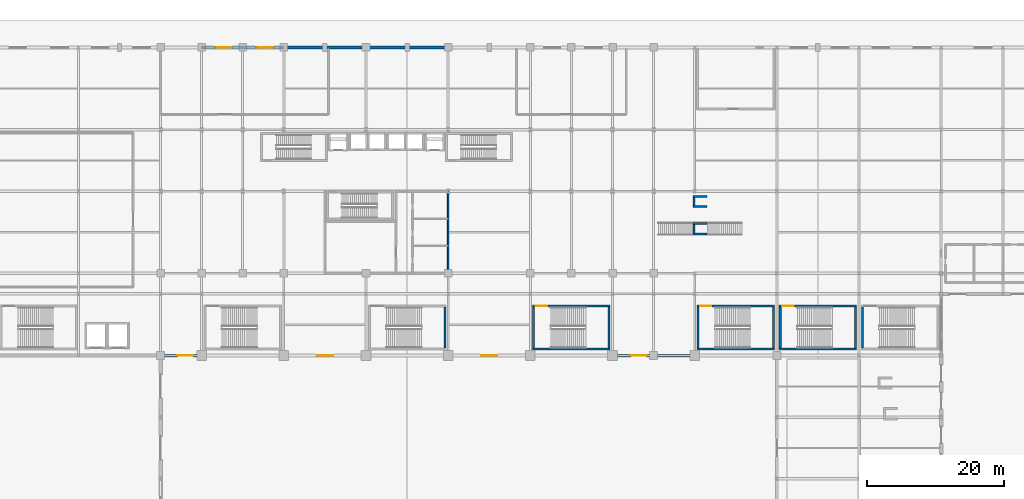
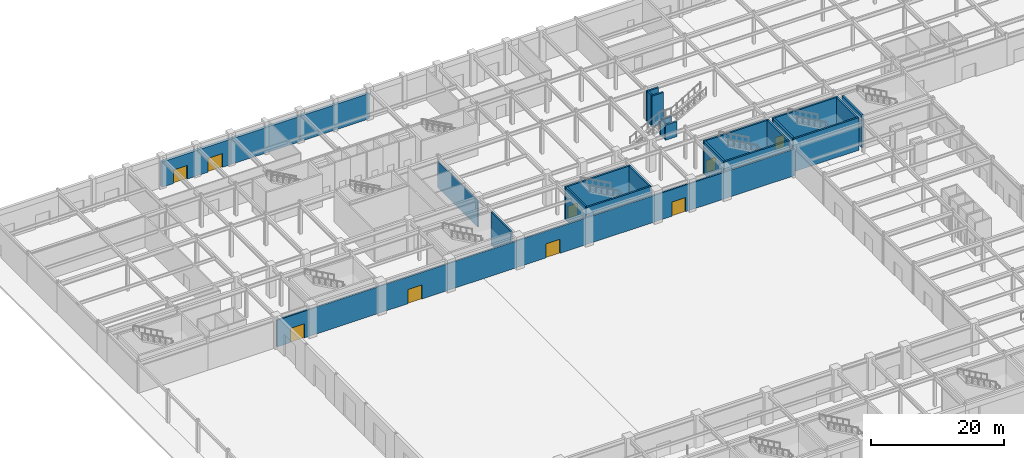
# One storey, part 26 of 44: 25 walls, 9 doors, 9 openings.
"""IFC4 building model written with IfcOpenShell, lengths in metres."""

from ifc_helpers import new_model, si_unit, direction, frame, frame_2d, origin, place, context, subcontext, project, spatial, rectangle, extrude, material, layer, layer_set, type_object, element, fill, save


model = new_model("IFC4")

# Units and contexts
model_context = context("Model", 3, precision=1e-05, world=origin(), true_north=direction((0.0, 1.0)))
body_context = subcontext(model_context, "Body", "Model", "MODEL_VIEW")
ifc_project = project(units=[si_unit("LENGTHUNIT", "METRE"), si_unit("AREAUNIT", "SQUARE_METRE"), si_unit("VOLUMEUNIT", "CUBIC_METRE"), si_unit("PLANEANGLEUNIT", "RADIAN"), si_unit("MASSUNIT", "GRAM", prefix="KILO")], contexts=[model_context])

# Site, building, storey
site_placement = place(None, origin())
site = spatial("IfcSite", under=ifc_project, at=site_placement, CompositionType="ELEMENT")
building_placement = place(site_placement, origin())
building = spatial("IfcBuilding", under=site, at=building_placement, Name="Kaldorvane Square Convention Centre", CompositionType="ELEMENT")
storey_placement = place(building_placement, origin())
storey = spatial("IfcBuildingStorey", under=building, at=storey_placement, Name="L00", CompositionType="ELEMENT", Elevation=0.0)

# Wall, openings, doors
ifc_material_1 = material(Name="Reinforced Concrete Masonry Acoustic Partition", Category="masonry")
ifc_layer_1 = layer(ifc_material_1, 0.279998779296875)
ifc_layer_set_1 = layer_set([ifc_layer_1], Name="Reinforced Concrete Masonry Acoustic Partition")
wall_type_1 = type_object("IfcWallType", Name="WL-ACO-280", PredefinedType="PARTITIONING", material=ifc_layer_set_1)
wall_1_placement = place(storey_placement, frame((114.0, 72.0, 0.0), z_axis=(0.0, 0.0, 1.0), x_axis=(-1.0, 0.0, 0.0)))
wall_1 = element("IfcWall", 1, at=wall_1_placement, inside=storey, type_object=wall_type_1, Name="Exhibition Hall N Enclosure Wall (L00)", PredefinedType="PARTITIONING", context=body_context, shape_type="SweptSolid", body=[
    extrude(rectangle(XDim=90.0, YDim=0.279998779296875, at=frame_2d((45.0, 0.0))), origin(), (0.0, 0.0, 1.0), 4.9019927978515625),
])
opening_1_placement = place(wall_1_placement, frame((18.970001220703125, 0.0, 0.0)))
opening_1 = element("IfcOpeningElement", 2, at=opening_1_placement, cuts=wall_1, Name="Opening ID-01", PredefinedType="OPENING", context=body_context, shape_type="SweptSolid", body=[
    extrude(rectangle(XDim=2.399993896484375, YDim=2.600006103515625, at=frame_2d((1.1999969482421875, 1.3000030517578125))), frame((0.0, 0.154998779296875, 0.0), z_axis=(0.0, -1.0, 0.0), x_axis=(1.0, 0.0, 0.0)), (0.0, 0.0, 1.0), 0.30999755859375),
])
opening_2_placement = place(wall_1_placement, frame((40.80000305175781, 0.0, 0.0)))
opening_2 = element("IfcOpeningElement", 3, at=opening_2_placement, cuts=wall_1, Name="Opening ID-01", PredefinedType="OPENING", context=body_context, shape_type="SweptSolid", body=[
    extrude(rectangle(XDim=2.399993896484375, YDim=2.600006103515625, at=frame_2d((1.1999969482421875, 1.3000030517578125))), frame((0.0, 0.154998779296875, 0.0), z_axis=(0.0, -1.0, 0.0), x_axis=(1.0, 0.0, 0.0)), (0.0, 0.0, 1.0), 0.30999755859375),
])
opening_3_placement = place(wall_1_placement, frame((64.80000305175781, 0.0, 0.0)))
opening_3 = element("IfcOpeningElement", 4, at=opening_3_placement, cuts=wall_1, Name="Opening ID-01", PredefinedType="OPENING", context=body_context, shape_type="SweptSolid", body=[
    extrude(rectangle(XDim=2.399993896484375, YDim=2.600006103515625, at=frame_2d((1.1999969482421875, 1.3000030517578125))), frame((0.0, 0.154998779296875, 0.0), z_axis=(0.0, -1.0, 0.0), x_axis=(1.0, 0.0, 0.0)), (0.0, 0.0, 1.0), 0.30999755859375),
])
opening_4_placement = place(wall_1_placement, frame((85.19999694824219, 0.0, 0.0)))
opening_4 = element("IfcOpeningElement", 5, at=opening_4_placement, cuts=wall_1, Name="Opening ID-01", PredefinedType="OPENING", context=body_context, shape_type="SweptSolid", body=[
    extrude(rectangle(XDim=2.399993896484375, YDim=2.600006103515625, at=frame_2d((1.1999969482421875, 1.3000030517578125))), frame((0.0, 0.154998779296875, 0.0), z_axis=(0.0, -1.0, 0.0), x_axis=(1.0, 0.0, 0.0)), (0.0, 0.0, 1.0), 0.30999755859375),
])
ifc_material_2 = material(Name="Insulated Hollow Metal Steel", Category="steel")
door_type_1 = type_object("IfcDoorType", Name="DR-HALL-2400X2600", OperationType="DOUBLE_DOOR_SINGLE_SWING", PredefinedType="DOOR", material=ifc_material_2)
door_1_placement = place(opening_1_placement, origin())
door_1 = element("IfcDoor", 6, at=door_1_placement, inside=storey, type_object=door_type_1, Name="Exhibition Hall N Portal Door 1", OperationType="DOUBLE_DOOR_SINGLE_SWING", OverallHeight=2.600006103515625, OverallWidth=2.399993896484375, PredefinedType="DOOR", context=body_context, shape_type="SweptSolid", body=[
    extrude(rectangle(XDim=2.399993896484375, YDim=2.600006103515625, at=frame_2d((1.1999969482421875, 1.3000030517578125))), frame((0.0, 0.024993896484375, 0.0), z_axis=(0.0, -1.0, 0.0), x_axis=(1.0, 0.0, 0.0)), (0.0, 0.0, 1.0), 0.0500030517578125),
])
fill(opening_1, door_1)
door_2_placement = place(opening_2_placement, origin())
door_2 = element("IfcDoor", 7, at=door_2_placement, inside=storey, type_object=door_type_1, Name="Exhibition Hall N Portal Door 2", OperationType="DOUBLE_DOOR_SINGLE_SWING", OverallHeight=2.600006103515625, OverallWidth=2.399993896484375, PredefinedType="DOOR", context=body_context, shape_type="SweptSolid", body=[
    extrude(rectangle(XDim=2.399993896484375, YDim=2.600006103515625, at=frame_2d((1.1999969482421875, 1.3000030517578125))), frame((0.0, 0.024993896484375, 0.0), z_axis=(0.0, -1.0, 0.0), x_axis=(1.0, 0.0, 0.0)), (0.0, 0.0, 1.0), 0.0500030517578125),
])
fill(opening_2, door_2)
door_3_placement = place(opening_3_placement, origin())
door_3 = element("IfcDoor", 8, at=door_3_placement, inside=storey, type_object=door_type_1, Name="Exhibition Hall N Portal Door 3", OperationType="DOUBLE_DOOR_SINGLE_SWING", OverallHeight=2.600006103515625, OverallWidth=2.399993896484375, PredefinedType="DOOR", context=body_context, shape_type="SweptSolid", body=[
    extrude(rectangle(XDim=2.399993896484375, YDim=2.600006103515625, at=frame_2d((1.1999969482421875, 1.3000030517578125))), frame((0.0, 0.024993896484375, 0.0), z_axis=(0.0, -1.0, 0.0), x_axis=(1.0, 0.0, 0.0)), (0.0, 0.0, 1.0), 0.0500030517578125),
])
fill(opening_3, door_3)
door_4_placement = place(opening_4_placement, origin())
door_4 = element("IfcDoor", 9, at=door_4_placement, inside=storey, type_object=door_type_1, Name="Exhibition Hall N Portal Door 4", OperationType="DOUBLE_DOOR_SINGLE_SWING", OverallHeight=2.600006103515625, OverallWidth=2.399993896484375, PredefinedType="DOOR", context=body_context, shape_type="SweptSolid", body=[
    extrude(rectangle(XDim=2.399993896484375, YDim=2.600006103515625, at=frame_2d((1.1999969482421875, 1.3000030517578125))), frame((0.0, 0.024993896484375, 0.0), z_axis=(0.0, -1.0, 0.0), x_axis=(1.0, 0.0, 0.0)), (0.0, 0.0, 1.0), 0.0500030517578125),
])
fill(opening_4, door_4)

# Wall
ifc_material_3 = material(Name="Fire-Rated Gypsum Board on Acoustic Steel Studs", Category="steel")
ifc_layer_2 = layer(ifc_material_3, 0.1999969482421875)
ifc_layer_set_2 = layer_set([ifc_layer_2], Name="Fire-Rated Gypsum Board on Acoustic Steel Studs")
wall_type_2 = type_object("IfcWallType", Name="WL-CORR-200", PredefinedType="PARTITIONING", material=ifc_layer_set_2)
wall_2_placement = place(storey_placement, frame((66.0, 84.0, 0.0), z_axis=(0.0, 0.0, 1.0), x_axis=(0.0, 1.0, 0.0)))
element("IfcWall", 10, at=wall_2_placement, inside=storey, type_object=wall_type_2, Name="Restroom East Wall (L00)", PredefinedType="PARTITIONING", context=body_context, shape_type="SweptSolid", body=[
    extrude(rectangle(XDim=12.0, YDim=0.1999969482421875, at=frame_2d((6.0, 0.0))), origin(), (0.0, 0.0, 1.0), 4.8300018310546875),
])

# Wall, openings, doors
ifc_material_4 = material(Name="Concrete f'c = 42 MPa (Normalweight)", Category="concrete")
ifc_layer_3 = layer(ifc_material_4, 0.4499969482421875)
ifc_layer_set_3 = layer_set([ifc_layer_3], Name="Concrete f'c = 42 MPa (Normalweight)")
wall_type_3 = type_object("IfcWallType", Name="WL-EXT-450", PredefinedType="STANDARD", material=ifc_layer_set_3)
wall_3_placement = place(storey_placement, frame((42.0, 117.0, 0.0), z_axis=(0.0, 0.0, 1.0), x_axis=(-1.0, 0.0, 0.0)))
wall_3 = element("IfcWall", 11, at=wall_3_placement, inside=storey, type_object=wall_type_3, Name="North Square Brutalist Facade Wall (L00)", PredefinedType="STANDARD", context=body_context, shape_type="SweptSolid", body=[
    extrude(rectangle(XDim=12.0, YDim=0.4499969482421875, at=frame_2d((6.0, 0.0))), origin(), (0.0, 0.0, 1.0), 4.675994873046875),
])
opening_5_placement = place(wall_3_placement, frame((1.5, 0.0, 0.0)))
opening_5 = element("IfcOpeningElement", 12, at=opening_5_placement, cuts=wall_3, Name="Opening ED-01", PredefinedType="OPENING", context=body_context, shape_type="SweptSolid", body=[
    extrude(rectangle(XDim=2.5, YDim=2.5500030517578125, at=frame_2d((1.25, 1.274993896484375))), frame((0.0, 0.239990234375, 0.0), z_axis=(0.0, -1.0, 0.0), x_axis=(1.0, 0.0, 0.0)), (0.0, 0.0, 1.0), 0.4799957275390625),
])
opening_6_placement = place(wall_3_placement, frame((7.600006103515625, 0.0, 0.0)))
opening_6 = element("IfcOpeningElement", 13, at=opening_6_placement, cuts=wall_3, Name="Opening ED-02", PredefinedType="OPENING", context=body_context, shape_type="SweptSolid", body=[
    extrude(rectangle(XDim=2.399993896484375, YDim=2.5, at=frame_2d((1.1999969482421875, 1.25))), frame((0.0, 0.239990234375, 0.0), z_axis=(0.0, -1.0, 0.0), x_axis=(1.0, 0.0, 0.0)), (0.0, 0.0, 1.0), 0.4799957275390625),
])
ifc_material_5 = material(Name="Thermally Broken Aluminum and Tempered Glass", Category="aluminium")
door_type_2 = type_object("IfcDoorType", Name="DR-EXT-2400X2500", OperationType="DOUBLE_DOOR_SINGLE_SWING", PredefinedType="DOOR", material=ifc_material_5)
door_5_placement = place(opening_6_placement, origin())
door_5 = element("IfcDoor", 14, at=door_5_placement, inside=storey, type_object=door_type_2, Name="North Kaldorvane Square Entrance Exit Door 11", OperationType="DOUBLE_DOOR_SINGLE_SWING", OverallHeight=2.5, OverallWidth=2.399993896484375, PredefinedType="DOOR", context=body_context, shape_type="SweptSolid", body=[
    extrude(rectangle(XDim=2.399993896484375, YDim=2.5, at=frame_2d((1.1999969482421875, 1.25))), frame((0.0, 0.024993896484375, 0.0), z_axis=(0.0, -1.0, 0.0), x_axis=(1.0, 0.0, 0.0)), (0.0, 0.0, 1.0), 0.0500030517578125),
])
fill(opening_6, door_5)
door_type_3 = type_object("IfcDoorType", Name="DR-EXT-2500X2550", OperationType="DOUBLE_DOOR_SINGLE_SWING", PredefinedType="DOOR", material=ifc_material_5)
door_6_placement = place(opening_5_placement, origin())
door_6 = element("IfcDoor", 15, at=door_6_placement, inside=storey, type_object=door_type_3, Name="North Kaldorvane Square Entrance Exit Door 10", OperationType="DOUBLE_DOOR_SINGLE_SWING", OverallHeight=2.5500030517578125, OverallWidth=2.5, PredefinedType="DOOR", context=body_context, shape_type="SweptSolid", body=[
    extrude(rectangle(XDim=2.5, YDim=2.5500030517578125, at=frame_2d((1.25, 1.274993896484375))), frame((0.0, 0.024993896484375, 0.0), z_axis=(0.0, -1.0, 0.0), x_axis=(1.0, 0.0, 0.0)), (0.0, 0.0, 1.0), 0.0500030517578125),
])
fill(opening_5, door_6)

# Walls
for number, where, z_axis, x_axis, name in (
    (16, (54.0, 117.0, 0.0), (0.0, 0.0, 1.0), (-1.0, 0.0, 0.0), "North Square Brutalist Facade Wall (L00)"),
    (17, (66.0, 117.0, 0.0), (0.0, 0.0, 1.0), (-1.0, 0.0, 0.0), "North Square Brutalist Facade Wall (L00)"),
):
    element("IfcWall", number, at=place(storey_placement, frame(where, z_axis=z_axis, x_axis=x_axis)), inside=storey, type_object=wall_type_3, Name=name, PredefinedType="STANDARD", context=body_context, shape_type="SweptSolid", body=[
        extrude(rectangle(XDim=12.0, YDim=0.4499969482421875, at=frame_2d((6.0, 0.0))), origin(), (0.0, 0.0, 1.0), 4.675994873046875),
    ])
ifc_material_6 = material(Name="Concrete f'c = 55 MPa (Normalweight)", Category="concrete")
ifc_layer_4 = layer(ifc_material_6, 0.3000030517578125)
ifc_layer_set_4 = layer_set([ifc_layer_4], Name="Concrete f'c = 55 MPa (Normalweight)")
wall_type_4 = type_object("IfcWallType", Name="WL-SHAFT-300", PredefinedType="SHEAR", material=ifc_layer_set_4)
wall_4_placement = place(storey_placement, frame((65.50999450683594, 73.10000610351562, 0.0), z_axis=(0.0, 0.0, 1.0), x_axis=(0.0, 1.0, 0.0)))
element("IfcWall", 18, at=wall_4_placement, inside=storey, type_object=wall_type_4, Name="Core Enclosure Wall stair:ST-C14-E (L00)", PredefinedType="SHEAR", context=body_context, shape_type="SweptSolid", body=[
    extrude(rectangle(XDim=5.959991455078125, YDim=0.3000030517578125, at=frame_2d((2.9799957275390625, 0.0))), origin(), (0.0, 0.0, 1.0), 6.0),
])
wall_5_placement = place(storey_placement, frame((78.33999633789062, 72.94999694824219, 0.0), z_axis=(0.0, 0.0, 1.0), x_axis=(1.0, 0.0, 0.0)))
element("IfcWall", 19, at=wall_5_placement, inside=storey, type_object=wall_type_4, Name="Core Enclosure Wall stair:ST-C15-S (L00)", PredefinedType="SHEAR", context=body_context, shape_type="SweptSolid", body=[
    extrude(rectangle(XDim=11.32000732421875, YDim=0.3000030517578125, at=frame_2d((5.660003662109375, 0.0))), origin(), (0.0, 0.0, 1.0), 6.0),
])

# Wall, opening, door
wall_6_placement = place(storey_placement, frame((89.66000366210938, 79.21000671386719, 0.0), z_axis=(0.0, 0.0, 1.0), x_axis=(-1.0, 0.0, 0.0)))
wall_6 = element("IfcWall", 20, at=wall_6_placement, inside=storey, type_object=wall_type_4, Name="Core Enclosure Wall stair:ST-C15-N (L00)", PredefinedType="SHEAR", context=body_context, shape_type="SweptSolid", body=[
    extrude(rectangle(XDim=11.32000732421875, YDim=0.3000030517578125, at=frame_2d((5.660003662109375, 0.0))), origin(), (0.0, 0.0, 1.0), 6.0),
])
opening_7_placement = place(wall_6_placement, frame((9.220001220703125, 0.0, 0.0)))
opening_7 = element("IfcOpeningElement", 21, at=opening_7_placement, cuts=wall_6, Name="Opening FD90-S2", PredefinedType="OPENING", context=body_context, shape_type="SweptSolid", body=[
    extrude(rectangle(XDim=1.649993896484375, YDim=2.25, at=frame_2d((0.8249969482421875, 1.125))), frame((0.0, 0.165008544921875, 0.0), z_axis=(0.0, -1.0, 0.0), x_axis=(1.0, 0.0, 0.0)), (0.0, 0.0, 1.0), 0.3300018310546875),
])
ifc_material_7 = material(Name="Fire-Rated Hollow Metal Steel", Category="steel")
door_type_4 = type_object("IfcDoorType", Name="DR-STAIR-1650", OperationType="DOUBLE_DOOR_SINGLE_SWING", PredefinedType="DOOR", material=ifc_material_7)
door_7_placement = place(opening_7_placement, origin())
door_7 = element("IfcDoor", 22, at=door_7_placement, inside=storey, type_object=door_type_4, Name="Convention Exit Stair C15 Fire Door (L00)", OperationType="DOUBLE_DOOR_SINGLE_SWING", OverallHeight=2.25, OverallWidth=1.649993896484375, PredefinedType="DOOR", context=body_context, shape_type="SweptSolid", body=[
    extrude(rectangle(XDim=1.649993896484375, YDim=2.25, at=frame_2d((0.8249969482421875, 1.125))), frame((0.0, 0.024993896484375, 0.0), z_axis=(0.0, -1.0, 0.0), x_axis=(1.0, 0.0, 0.0)), (0.0, 0.0, 1.0), 0.0500030517578125),
])
fill(opening_7, door_7)

# Walls
for number, where, z_axis, x_axis, name in (
    (23, (78.49000549316406, 79.05999755859375, 0.0), (0.0, 0.0, 1.0), (0.0, -1.0, 0.0), "Core Enclosure Wall stair:ST-C15-W (L00)"),
    (24, (89.50999450683594, 73.10000610351562, 0.0), (0.0, 0.0, 1.0), (0.0, 1.0, 0.0), "Core Enclosure Wall stair:ST-C15-E (L00)"),
):
    element("IfcWall", number, at=place(storey_placement, frame(where, z_axis=z_axis, x_axis=x_axis)), inside=storey, type_object=wall_type_4, Name=name, PredefinedType="SHEAR", context=body_context, shape_type="SweptSolid", body=[
        extrude(rectangle(XDim=5.959991455078125, YDim=0.3000030517578125, at=frame_2d((2.9799957275390625, 0.0))), origin(), (0.0, 0.0, 1.0), 6.0),
    ])
wall_7_placement = place(storey_placement, frame((102.33999633789062, 72.94999694824219, 0.0), z_axis=(0.0, 0.0, 1.0), x_axis=(1.0, 0.0, 0.0)))
element("IfcWall", 25, at=wall_7_placement, inside=storey, type_object=wall_type_4, Name="Core Enclosure Wall stair:ST-C16-S (L00)", PredefinedType="SHEAR", context=body_context, shape_type="SweptSolid", body=[
    extrude(rectangle(XDim=11.32000732421875, YDim=0.3000030517578125, at=frame_2d((5.660003662109375, 0.0))), origin(), (0.0, 0.0, 1.0), 6.0),
])

# Wall, opening, door
wall_8_placement = place(storey_placement, frame((113.66000366210938, 79.21000671386719, 0.0), z_axis=(0.0, 0.0, 1.0), x_axis=(-1.0, 0.0, 0.0)))
wall_8 = element("IfcWall", 26, at=wall_8_placement, inside=storey, type_object=wall_type_4, Name="Core Enclosure Wall stair:ST-C16-N (L00)", PredefinedType="SHEAR", context=body_context, shape_type="SweptSolid", body=[
    extrude(rectangle(XDim=11.32000732421875, YDim=0.3000030517578125, at=frame_2d((5.660003662109375, 0.0))), origin(), (0.0, 0.0, 1.0), 6.0),
])
opening_8_placement = place(wall_8_placement, frame((9.220001220703125, 0.0, 0.0)))
opening_8 = element("IfcOpeningElement", 27, at=opening_8_placement, cuts=wall_8, Name="Opening FD90-S2", PredefinedType="OPENING", context=body_context, shape_type="SweptSolid", body=[
    extrude(rectangle(XDim=1.649993896484375, YDim=2.25, at=frame_2d((0.8249969482421875, 1.125))), frame((0.0, 0.165008544921875, 0.0), z_axis=(0.0, -1.0, 0.0), x_axis=(1.0, 0.0, 0.0)), (0.0, 0.0, 1.0), 0.3300018310546875),
])
door_8_placement = place(opening_8_placement, origin())
door_8 = element("IfcDoor", 28, at=door_8_placement, inside=storey, type_object=door_type_4, Name="Convention Exit Stair C16 Fire Door (L00)", OperationType="DOUBLE_DOOR_SINGLE_SWING", OverallHeight=2.25, OverallWidth=1.649993896484375, PredefinedType="DOOR", context=body_context, shape_type="SweptSolid", body=[
    extrude(rectangle(XDim=1.649993896484375, YDim=2.25, at=frame_2d((0.8249969482421875, 1.125))), frame((0.0, 0.024993896484375, 0.0), z_axis=(0.0, -1.0, 0.0), x_axis=(1.0, 0.0, 0.0)), (0.0, 0.0, 1.0), 0.0500030517578125),
])
fill(opening_8, door_8)

# Walls
for number, where, z_axis, x_axis, name in (
    (29, (102.49000549316406, 79.05999755859375, 0.0), (0.0, 0.0, 1.0), (0.0, -1.0, 0.0), "Core Enclosure Wall stair:ST-C16-W (L00)"),
    (30, (113.50999450683594, 73.10000610351562, 0.0), (0.0, 0.0, 1.0), (0.0, 1.0, 0.0), "Core Enclosure Wall stair:ST-C16-E (L00)"),
):
    element("IfcWall", number, at=place(storey_placement, frame(where, z_axis=z_axis, x_axis=x_axis)), inside=storey, type_object=wall_type_4, Name=name, PredefinedType="SHEAR", context=body_context, shape_type="SweptSolid", body=[
        extrude(rectangle(XDim=5.959991455078125, YDim=0.3000030517578125, at=frame_2d((2.9799957275390625, 0.0))), origin(), (0.0, 0.0, 1.0), 6.0),
    ])
wall_9_placement = place(storey_placement, frame((114.33999633789062, 72.94999694824219, 0.0), z_axis=(0.0, 0.0, 1.0), x_axis=(1.0, 0.0, 0.0)))
element("IfcWall", 31, at=wall_9_placement, inside=storey, type_object=wall_type_4, Name="Core Enclosure Wall stair:ST-C17-S (L00)", PredefinedType="SHEAR", context=body_context, shape_type="SweptSolid", body=[
    extrude(rectangle(XDim=11.32000732421875, YDim=0.3000030517578125, at=frame_2d((5.660003662109375, 0.0))), origin(), (0.0, 0.0, 1.0), 6.0),
])

# Wall, opening, door
wall_10_placement = place(storey_placement, frame((125.66000366210938, 79.21000671386719, 0.0), z_axis=(0.0, 0.0, 1.0), x_axis=(-1.0, 0.0, 0.0)))
wall_10 = element("IfcWall", 32, at=wall_10_placement, inside=storey, type_object=wall_type_4, Name="Core Enclosure Wall stair:ST-C17-N (L00)", PredefinedType="SHEAR", context=body_context, shape_type="SweptSolid", body=[
    extrude(rectangle(XDim=11.32000732421875, YDim=0.3000030517578125, at=frame_2d((5.660003662109375, 0.0))), origin(), (0.0, 0.0, 1.0), 6.0),
])
opening_9_placement = place(wall_10_placement, frame((9.220001220703125, 0.0, 0.0)))
opening_9 = element("IfcOpeningElement", 33, at=opening_9_placement, cuts=wall_10, Name="Opening FD90-S2", PredefinedType="OPENING", context=body_context, shape_type="SweptSolid", body=[
    extrude(rectangle(XDim=1.649993896484375, YDim=2.25, at=frame_2d((0.8249969482421875, 1.125))), frame((0.0, 0.165008544921875, 0.0), z_axis=(0.0, -1.0, 0.0), x_axis=(1.0, 0.0, 0.0)), (0.0, 0.0, 1.0), 0.3300018310546875),
])
door_9_placement = place(opening_9_placement, origin())
door_9 = element("IfcDoor", 34, at=door_9_placement, inside=storey, type_object=door_type_4, Name="Convention Exit Stair C17 Fire Door (L00)", OperationType="DOUBLE_DOOR_SINGLE_SWING", OverallHeight=2.25, OverallWidth=1.649993896484375, PredefinedType="DOOR", context=body_context, shape_type="SweptSolid", body=[
    extrude(rectangle(XDim=1.649993896484375, YDim=2.25, at=frame_2d((0.8249969482421875, 1.125))), frame((0.0, 0.024993896484375, 0.0), z_axis=(0.0, -1.0, 0.0), x_axis=(1.0, 0.0, 0.0)), (0.0, 0.0, 1.0), 0.0500030517578125),
])
fill(opening_9, door_9)

# Walls
for number, where, z_axis, x_axis, name in (
    (35, (114.49000549316406, 79.05999755859375, 0.0), (0.0, 0.0, 1.0), (0.0, -1.0, 0.0), "Core Enclosure Wall stair:ST-C17-W (L00)"),
    (36, (125.50999450683594, 73.10000610351562, 0.0), (0.0, 0.0, 1.0), (0.0, 1.0, 0.0), "Core Enclosure Wall stair:ST-C17-E (L00)"),
    (37, (126.49000549316406, 79.05999755859375, 0.0), (0.0, 0.0, 1.0), (0.0, -1.0, 0.0), "Core Enclosure Wall stair:ST-C18-W (L00)"),
):
    element("IfcWall", number, at=place(storey_placement, frame(where, z_axis=z_axis, x_axis=x_axis)), inside=storey, type_object=wall_type_4, Name=name, PredefinedType="SHEAR", context=body_context, shape_type="SweptSolid", body=[
        extrude(rectangle(XDim=5.959991455078125, YDim=0.3000030517578125, at=frame_2d((2.9799957275390625, 0.0))), origin(), (0.0, 0.0, 1.0), 6.0),
    ])
for number, where, z_axis, x_axis, name in (
    (38, (101.77999877929688, 89.75, 0.0), (0.0, 0.0, 1.0), (1.0, 0.0, 0.0), "Hotel Atrium Grand Stair F5 Support Pier S (L00)"),
    (39, (101.77999877929688, 91.25, 0.0), (0.0, 0.0, 1.0), (1.0, 0.0, 0.0), "Hotel Atrium Grand Stair F5 Support Pier N (L00)"),
):
    element("IfcWall", number, at=place(storey_placement, frame(where, z_axis=z_axis, x_axis=x_axis)), inside=storey, type_object=wall_type_4, Name=name, PredefinedType="SHEAR", context=body_context, shape_type="SweptSolid", body=[
        extrude(rectangle(XDim=2.0, YDim=0.3000030517578125, at=frame_2d((1.0, 0.0))), origin(), (0.0, 0.0, 1.0), 2.7599945068359375),
    ])
wall_11_placement = place(storey_placement, frame((101.92999267578125, 89.89999389648438, 0.0), z_axis=(0.0, 0.0, 1.0), x_axis=(0.0, 1.0, 0.0)))
element("IfcWall", 40, at=wall_11_placement, inside=storey, type_object=wall_type_4, Name="Hotel Atrium Grand Stair F5 Support Pier W (L00)", PredefinedType="SHEAR", context=body_context, shape_type="SweptSolid", body=[
    extrude(rectangle(XDim=1.20001220703125, YDim=0.3000030517578125, at=frame_2d((0.600006103515625, 0.0))), origin(), (0.0, 0.0, 1.0), 2.7599945068359375),
])
for number, where, z_axis, x_axis, name in (
    (41, (101.77999877929688, 93.75, 0.0), (0.0, 0.0, 1.0), (1.0, 0.0, 0.0), "Hotel Atrium Grand Stair F6 Support Pier S (L00)"),
    (42, (101.77999877929688, 95.25, 0.0), (0.0, 0.0, 1.0), (1.0, 0.0, 0.0), "Hotel Atrium Grand Stair F6 Support Pier N (L00)"),
):
    element("IfcWall", number, at=place(storey_placement, frame(where, z_axis=z_axis, x_axis=x_axis)), inside=storey, type_object=wall_type_4, Name=name, PredefinedType="SHEAR", context=body_context, shape_type="SweptSolid", body=[
        extrude(rectangle(XDim=2.0, YDim=0.3000030517578125, at=frame_2d((1.0, 0.0))), origin(), (0.0, 0.0, 1.0), 5.67999267578125),
    ])
wall_12_placement = place(storey_placement, frame((101.92999267578125, 93.89999389648438, 0.0), z_axis=(0.0, 0.0, 1.0), x_axis=(0.0, 1.0, 0.0)))
element("IfcWall", 43, at=wall_12_placement, inside=storey, type_object=wall_type_4, Name="Hotel Atrium Grand Stair F6 Support Pier W (L00)", PredefinedType="SHEAR", context=body_context, shape_type="SweptSolid", body=[
    extrude(rectangle(XDim=1.20001220703125, YDim=0.3000030517578125, at=frame_2d((0.600006103515625, 0.0))), origin(), (0.0, 0.0, 1.0), 5.67999267578125),
])

save(model, "model.ifc")
